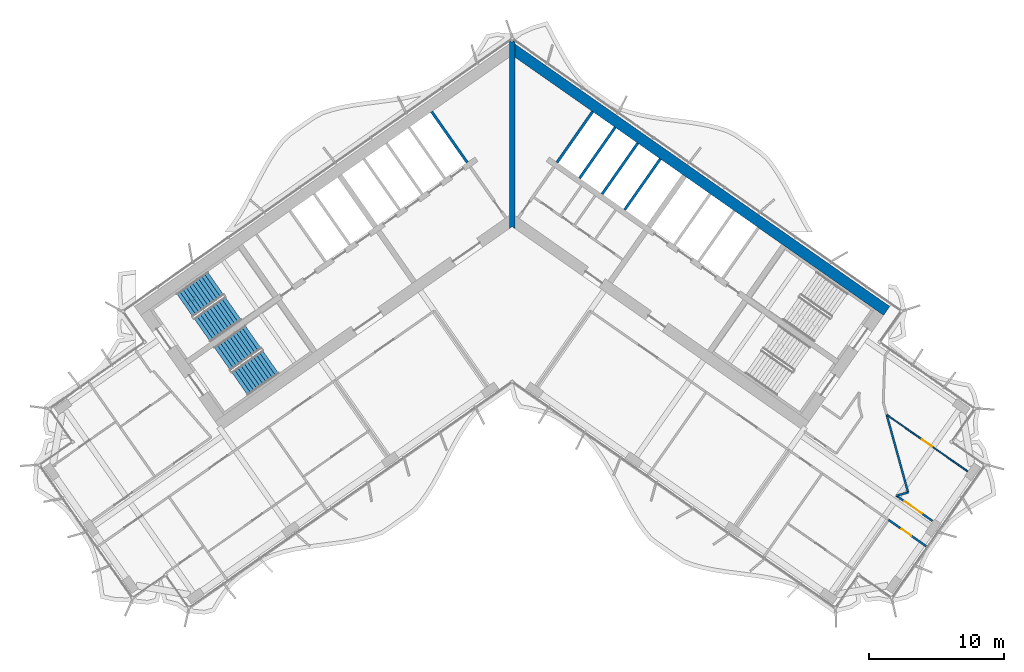
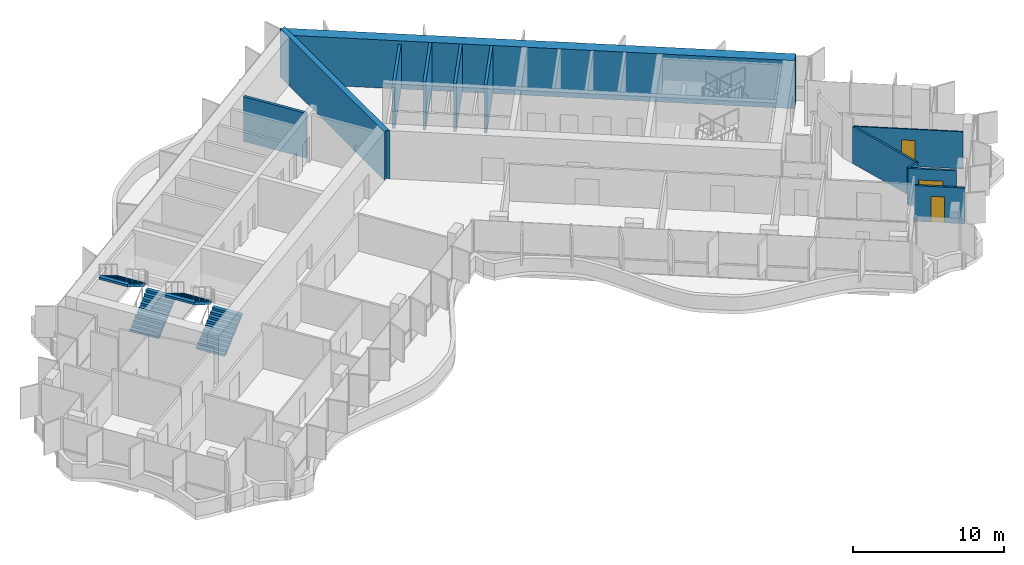
# One storey, part 15 of 21: 12 walls, 4 stair flights, 3 doors, 3 openings, 2 elements without a shape of their own.
"""IFC4 building model written with IfcOpenShell, lengths in metres."""

from ifc_helpers import new_model, si_unit, direction, frame, frame_2d, origin, place, context, subcontext, project, spatial, polyline, rectangle, outline, extrude, material, layer, layer_set, type_object, element, fill, aggregate, save


model = new_model("IFC4")

# Units and contexts
model_context = context("Model", 3, precision=1e-05, world=origin(), true_north=direction((0.0, 1.0)))
body_context = subcontext(model_context, "Body", "Model", "MODEL_VIEW")
ifc_project = project(units=[si_unit("LENGTHUNIT", "METRE"), si_unit("AREAUNIT", "SQUARE_METRE"), si_unit("VOLUMEUNIT", "CUBIC_METRE"), si_unit("PLANEANGLEUNIT", "RADIAN"), si_unit("MASSUNIT", "GRAM", prefix="KILO")], contexts=[model_context])

# Site, building, storey
site_placement = place(None, origin())
site = spatial("IfcSite", under=ifc_project, at=site_placement, CompositionType="ELEMENT")
building_placement = place(site_placement, origin())
building = spatial("IfcBuilding", under=site, at=building_placement, Name="Tel Ilan Convention Tower", CompositionType="ELEMENT")
storey_placement = place(building_placement, frame((0.0, 0.0, 210.0)))
storey = spatial("IfcBuildingStorey", under=building, at=storey_placement, Name="L49", CompositionType="ELEMENT", Elevation=210.0)

# Walls
ifc_material_1 = material(Name="Concrete C30/37", Category="concrete")
ifc_layer_1 = layer(ifc_material_1, 0.199951171875)
ifc_layer_set_1 = layer_set([ifc_layer_1], Name="Core Service Room Wall 200 mm C30/37")
wall_type_1 = type_object("IfcWallType", Name="Core Service Room Wall 200 mm C30/37", PredefinedType="SOLIDWALL", material=ifc_layer_set_1)
for number, where, z_axis, x_axis, name in (
    (1, (-3.32666015625, 3.530517578125, 0.0), (0.0, 0.0, 1.0), (-0.573576324356, 0.819152122709, 0.0), "L49 core wall apex-W-b"),
    (2, (3.32666015625, 3.530517578125, 0.0), (0.0, 0.0, 1.0), (0.573576324356, 0.819152122709, 0.0), "L49 core wall apex-E-b"),
):
    element("IfcWall", number, at=place(storey_placement, frame(where, z_axis=z_axis, x_axis=x_axis)), inside=storey, type_object=wall_type_1, Name=name, PredefinedType="SOLIDWALL", context=body_context, shape_type="SweptSolid", body=[
        extrude(rectangle(XDim=4.599853515625, YDim=0.199951171875, at=frame_2d((2.2998046875, 0.0))), origin(), (0.0, 0.0, 1.0), 3.6201171875),
    ])
ifc_material_2 = material(Name="Concrete C50/60", Category="concrete")
ifc_layer_2 = layer(ifc_material_2, 0.39990234375)
ifc_layer_set_2 = layer_set([ifc_layer_2], Name="Core Shear Wall 400 mm C50/60")
wall_type_2 = type_object("IfcWallType", Name="Core Shear Wall 400 mm C50/60", PredefinedType="SHEAR", material=ifc_layer_set_2)
wall_1_placement = place(storey_placement, frame((0.0, -1.36083984375, 0.0), z_axis=(0.0, 0.0, 1.0), x_axis=(0.0, 1.0, 0.0)))
element("IfcWall", 3, at=wall_1_placement, inside=storey, type_object=wall_type_2, Name="L49 core wall K-central", PredefinedType="SHEAR", context=body_context, shape_type="SweptSolid", body=[
    extrude(outline(polyline([(0.0, -0.199951171875), (0.14013671875, -0.199951171875), (1.0751953125, -0.199951171875), (12.696044921875, -0.199951171875), (13.812744140625, -0.199951171875), (13.893310546875, -0.199951171875), (13.933349609375, -0.172119140625), (13.812744140625, 0.0), (13.933349609375, 0.172119140625), (13.893310546875, 0.199951171875), (13.812744140625, 0.199951171875), (12.696044921875, 0.199951171875), (1.0751953125, 0.199951171875), (0.14013671875, 0.199951171875), (0.0, 0.199951171875), (0.14013671875, 0.0), (0.0, -0.199951171875)])), origin(), (0.0, 0.0, 1.0), 3.89990234375),
])
ifc_material_3 = material(Name="Concrete C50/60", Category="concrete")
ifc_layer_3 = layer(ifc_material_3, 0.800048828125)
ifc_layer_set_3 = layer_set([ifc_layer_3], Name="Core Shear Wall 800 mm C50/60")
wall_type_3 = type_object("IfcWallType", Name="Core Shear Wall 800 mm C50/60", PredefinedType="SHEAR", material=ifc_layer_set_3)
wall_2_placement = place(storey_placement, frame((-0.029296875, 11.984130859375, 0.0), z_axis=(0.0, 0.0, 1.0), x_axis=(0.819151382952, -0.573577380837, 0.0)))
element("IfcWall", 4, at=wall_2_placement, inside=storey, type_object=wall_type_3, Name="L49 core wall E-back", PredefinedType="SHEAR", context=body_context, shape_type="SweptSolid", body=[
    extrude(outline(polyline([(33.897705078125, 0.400146484375), (-0.000244140625, 0.39990234375), (0.56005859375, -0.400146484375), (33.897705078125, -0.39990234375), (33.897705078125, 0.400146484375)])), origin(), (0.0, 0.0, 1.0), 3.89990234375),
])

# Wall, opening, door
ifc_material_4 = material(Name="Plasterboard on Steel Studs", Category="steel")
ifc_layer_4 = layer(ifc_material_4, 0.14990234375)
ifc_layer_set_4 = layer_set([ifc_layer_4], Name="Fire-rated Partition 150 EI 60")
wall_type_4 = type_object("IfcWallType", Name="Fire-rated Partition 150 EI 60", PredefinedType="PARTITIONING", material=ifc_layer_set_4)
wall_3_placement = place(storey_placement, frame((28.4580078125, -21.147216796875, 0.0), z_axis=(0.0, 0.0, 1.0), x_axis=(0.819143929003, -0.573588026006, 0.0)))
wall_3 = element("IfcWall", 5, at=wall_3_placement, inside=storey, type_object=wall_type_4, Name="Partition 002", PredefinedType="PARTITIONING", context=body_context, shape_type="SweptSolid", body=[
    extrude(rectangle(XDim=3.259033203125, YDim=0.14990234375, at=frame_2d((1.62939453125, 0.0))), origin(), (0.0, 0.0, 1.0), 3.0),
])
opening_1_placement = place(wall_3_placement, frame((0.7294921875, 0.0, 0.0)))
opening_1 = element("IfcOpeningElement", 6, at=opening_1_placement, cuts=wall_3, Name="Opening L48-019", PredefinedType="OPENING", context=body_context, shape_type="SweptSolid", body=[
    extrude(rectangle(XDim=1.60009765625, YDim=2.10009765625, at=frame_2d((0.800048828125, 1.050048828125))), frame((0.0, 0.0849609375, 0.0), z_axis=(0.0, -1.0, 0.0), x_axis=(1.0, 0.0, 0.0)), (0.0, 0.0, 1.0), 0.169921875),
])
ifc_material_5 = material(Name="Timber Door Leaf in Steel Frame", Category="steel")
door_type_1 = type_object("IfcDoorType", Name="Tenant Suite Entrance Fire Door 1600x2100", OperationType="NOTDEFINED", PredefinedType="DOOR", material=ifc_material_5)
door_1_placement = place(opening_1_placement, origin())
door_1 = element("IfcDoor", 7, at=door_1_placement, inside=storey, type_object=door_type_1, Name="Door L48-019", OperationType="DOUBLE_DOOR_SINGLE_SWING", OverallHeight=2.10009765625, OverallWidth=1.60009765625, PredefinedType="DOOR", context=body_context, shape_type="SweptSolid", body=[
    extrude(rectangle(XDim=1.60009765625, YDim=2.10009765625, at=frame_2d((0.800048828125, 1.050048828125))), frame((0.0, 0.02490234375, 0.0), z_axis=(0.0, -1.0, 0.0), x_axis=(1.0, 0.0, 0.0)), (0.0, 0.0, 1.0), 0.050048828125),
])
fill(opening_1, door_1)

wall_4_placement = place(storey_placement, frame((30.668701171875, -24.892578125, 0.0), z_axis=(0.0, 0.0, 1.0), x_axis=(-0.819147629048, 0.573582741917, 0.0)))
wall_4 = element("IfcWall", 8, at=wall_4_placement, inside=storey, type_object=wall_type_4, Name="Partition 007", PredefinedType="PARTITIONING", context=body_context, shape_type="SweptSolid", body=[
    extrude(rectangle(XDim=3.402099609375, YDim=0.14990234375, at=frame_2d((1.701171875, 0.0))), origin(), (0.0, 0.0, 1.0), 2.89990234375),
])
opening_2_placement = place(wall_4_placement, frame((1.35107421875, 0.0, 0.0)))
opening_2 = element("IfcOpeningElement", 9, at=opening_2_placement, cuts=wall_4, Name="Opening L48-017", PredefinedType="OPENING", context=body_context, shape_type="SweptSolid", body=[
    extrude(rectangle(XDim=0.89990234375, YDim=2.10009765625, at=frame_2d((0.449951171875, 1.050048828125))), frame((0.0, 0.0849609375, 0.0), z_axis=(0.0, -1.0, 0.0), x_axis=(1.0, 0.0, 0.0)), (0.0, 0.0, 1.0), 0.169921875),
])
ifc_material_6 = material(Name="Timber Door Leaf in Steel Frame", Category="steel")
door_type_2 = type_object("IfcDoorType", Name="Room Fire Door 900x2100", OperationType="NOTDEFINED", PredefinedType="DOOR", material=ifc_material_6)
door_2_placement = place(opening_2_placement, origin())
door_2 = element("IfcDoor", 10, at=door_2_placement, inside=storey, type_object=door_type_2, Name="Door L48-017", OperationType="SINGLE_SWING_LEFT", OverallHeight=2.10009765625, OverallWidth=0.89990234375, PredefinedType="DOOR", context=body_context, shape_type="SweptSolid", body=[
    extrude(rectangle(XDim=0.89990234375, YDim=2.10009765625, at=frame_2d((0.449951171875, 1.050048828125))), frame((0.0, 0.02490234375, 0.0), z_axis=(0.0, -1.0, 0.0), x_axis=(1.0, 0.0, 0.0)), (0.0, 0.0, 1.0), 0.050048828125),
])
fill(opening_2, door_2)

# Walls
wall_5_placement = place(storey_placement, frame((28.45947265625, -21.148193359375, 0.0), z_axis=(0.0, 0.0, 1.0), x_axis=(0.964090868689, 0.265572583131, 0.0)))
element("IfcWall", 11, at=wall_5_placement, inside=storey, type_object=wall_type_4, Name="Partition 023", PredefinedType="PARTITIONING", context=body_context, shape_type="SweptSolid", body=[
    extrude(rectangle(XDim=0.89990234375, YDim=0.14990234375, at=frame_2d((0.449951171875, 0.0))), origin(), (0.0, 0.0, 1.0), 3.0),
])
wall_6_placement = place(storey_placement, frame((29.3271484375, -20.9091796875, 0.0), z_axis=(0.0, 0.0, 1.0), x_axis=(-0.265851730348, 0.964013930123, 0.0)))
element("IfcWall", 12, at=wall_6_placement, inside=storey, type_object=wall_type_4, Name="Partition 024", PredefinedType="PARTITIONING", context=body_context, shape_type="SweptSolid", body=[
    extrude(rectangle(XDim=5.973876953125, YDim=0.14990234375, at=frame_2d((2.98681640625, 0.0))), origin(), (0.0, 0.0, 1.0), 3.0),
])
ifc_material_7 = material(Name="Concrete C30/37", Category="concrete")
ifc_layer_5 = layer(ifc_material_7, 0.199951171875)
ifc_layer_set_5 = layer_set([ifc_layer_5], Name="Lift Shaft Wall 200 mm C30/37")
wall_type_5 = type_object("IfcWallType", Name="Lift Shaft Wall 200 mm C30/37", PredefinedType="SOLIDWALL", material=ifc_layer_set_5)
for number, where, z_axis, x_axis, name in (
    (13, (4.99560546875, 2.36181640625, 0.0), (0.0, 0.0, 1.0), (0.573576324356, 0.819152122709, 0.0), "L49 core wall bank-E1-p0"),
    (14, (6.66455078125, 1.193115234375, 0.0), (0.0, 0.0, 1.0), (0.573576324356, 0.819152122709, 0.0), "L49 core wall bank-E1-p1"),
):
    element("IfcWall", number, at=place(storey_placement, frame(where, z_axis=z_axis, x_axis=x_axis)), inside=storey, type_object=wall_type_5, Name=name, PredefinedType="SOLIDWALL", context=body_context, shape_type="SweptSolid", body=[
        extrude(rectangle(XDim=4.599853515625, YDim=0.199951171875, at=frame_2d((2.2998046875, 0.0))), origin(), (0.0, 0.0, 1.0), 3.89990234375),
    ])
wall_7_placement = place(storey_placement, frame((8.33349609375, 0.0244140625, 0.0), z_axis=(0.0, 0.0, 1.0), x_axis=(0.573611936273, 0.819127185829, 0.0)))
element("IfcWall", 15, at=wall_7_placement, inside=storey, type_object=wall_type_5, Name="L49 core wall bank-E1-p2", PredefinedType="SOLIDWALL", context=body_context, shape_type="SweptSolid", body=[
    extrude(rectangle(XDim=4.60009765625, YDim=0.199951171875, at=frame_2d((2.300048828125, 0.0))), origin(), (0.0, 0.0, 1.0), 3.89990234375),
])

# Wall, opening, door
ifc_material_8 = material(Name="Plasterboard on Steel Studs", Category="steel")
ifc_layer_6 = layer(ifc_material_8, 0.10009765625)
ifc_layer_set_6 = layer_set([ifc_layer_6], Name="Plasterboard Partition 100")
wall_type_6 = type_object("IfcWallType", Name="Plasterboard Partition 100", PredefinedType="PARTITIONING", material=ifc_layer_set_6)
wall_8_placement = place(storey_placement, frame((27.73876953125, -15.14892578125, 0.0), z_axis=(0.0, 0.0, 1.0), x_axis=(0.819156688441, -0.573569803757, 0.0)))
wall_8 = element("IfcWall", 16, at=wall_8_placement, inside=storey, type_object=wall_type_6, Name="Partition 019", PredefinedType="PARTITIONING", context=body_context, shape_type="SweptSolid", body=[
    extrude(rectangle(XDim=7.318603515625, YDim=0.10009765625, at=frame_2d((3.6591796875, 0.0))), origin(), (0.0, 0.0, 1.0), 3.0),
])
opening_3_placement = place(wall_8_placement, frame((3.20947265625, 0.0, 0.0)))
opening_3 = element("IfcOpeningElement", 17, at=opening_3_placement, cuts=wall_8, Name="Opening L48-020", PredefinedType="OPENING", context=body_context, shape_type="SweptSolid", body=[
    extrude(rectangle(XDim=0.89990234375, YDim=2.10009765625, at=frame_2d((0.449951171875, 1.050048828125))), frame((0.0, 0.06005859375, 0.0), z_axis=(0.0, -1.0, 0.0), x_axis=(1.0, 0.0, 0.0)), (0.0, 0.0, 1.0), 0.1201171875),
])
ifc_material_9 = material(Name="Timber Door Leaf in Steel Frame", Category="steel")
door_type_3 = type_object("IfcDoorType", Name="Room Timber Door 900x2100", OperationType="NOTDEFINED", PredefinedType="DOOR", material=ifc_material_9)
door_3_placement = place(opening_3_placement, origin())
door_3 = element("IfcDoor", 18, at=door_3_placement, inside=storey, type_object=door_type_3, Name="Door L48-020", OperationType="SINGLE_SWING_LEFT", OverallHeight=2.10009765625, OverallWidth=0.89990234375, PredefinedType="DOOR", context=body_context, shape_type="SweptSolid", body=[
    extrude(rectangle(XDim=0.89990234375, YDim=2.10009765625, at=frame_2d((0.449951171875, 1.050048828125))), frame((0.0, 0.02490234375, 0.0), z_axis=(0.0, -1.0, 0.0), x_axis=(1.0, 0.0, 0.0)), (0.0, 0.0, 1.0), 0.050048828125),
])
fill(opening_3, door_3)

# Stair, stair flights
ifc_material_10 = material(Name="Concrete C40/50", Category="concrete")
stair_type = type_object("IfcStairType", Name="Pressurised Exit Stair 22 risers 177 mm", PredefinedType="HALF_TURN_STAIR", material=ifc_material_10)
stair_1_placement = place(storey_placement, origin())
stair_1 = element("IfcStair", 19, at=stair_1_placement, inside=storey, type_object=stair_type, Name="L49 Pressurised Stair S1", PredefinedType="HALF_TURN_STAIR")
ifc_material_11 = material(Name="Precast Concrete C40/50", Category="concrete")
stair_flight_type = type_object("IfcStairFlightType", Name="Concrete Stair Flight 2100 mm 22 risers 177 mm", PredefinedType="STRAIGHT", material=ifc_material_11)
stair_flight_1_placement = place(storey_placement, frame((-22.9619140625, -8.87548828125, 0.0), z_axis=(0.0, 0.0, 1.0), x_axis=(0.819152044289, 0.573576436351, 0.0)))
stair_flight_1 = element("IfcStairFlight", 20, at=stair_flight_1_placement, type_object=stair_flight_type, Name="S1 flight 1", NumberOfRisers=11, NumberOfTreads=10, PredefinedType="STRAIGHT", RiserHeight=0.177272727, TreadLength=0.28, context=body_context, shape_type="SweptSolid", body=[
    extrude(outline(polyline([(0.0, 0.0), (0.0, 0.17724609375), (0.280029296875, 0.17724609375), (0.280029296875, 0.3544921875), (0.56005859375, 0.3544921875), (0.56005859375, 0.53173828125), (0.840087890625, 0.53173828125), (0.840087890625, 0.708984375), (1.1201171875, 0.708984375), (1.1201171875, 0.886474609375), (1.39990234375, 0.886474609375), (1.39990234375, 1.063720703125), (1.679931640625, 1.063720703125), (1.679931640625, 1.240966796875), (1.9599609375, 1.240966796875), (1.9599609375, 1.418212890625), (2.239990234375, 1.418212890625), (2.239990234375, 1.595458984375), (2.52001953125, 1.595458984375), (2.52001953125, 1.772705078125), (2.800048828125, 1.772705078125), (2.800048828125, 1.949951171875), (2.800048828125, 1.59521484375), (0.2802734375, 0.0), (0.0, 0.0)])), frame((0.0, -0.100341796875, 0.0), z_axis=(0.0, -1.0, 0.0), x_axis=(1.0, 0.0, 0.0)), (0.0, 0.0, 1.0), 0.94970703125),
    extrude(outline(polyline([(0.0, 0.0), (0.0, 0.17724609375), (0.280029296875, 0.17724609375), (0.280029296875, 0.3544921875), (0.56005859375, 0.3544921875), (0.56005859375, 0.53173828125), (0.840087890625, 0.53173828125), (0.840087890625, 0.708984375), (1.1201171875, 0.708984375), (1.1201171875, 0.886474609375), (1.39990234375, 0.886474609375), (1.39990234375, 1.063720703125), (1.679931640625, 1.063720703125), (1.679931640625, 1.240966796875), (1.9599609375, 1.240966796875), (1.9599609375, 1.418212890625), (2.239990234375, 1.418212890625), (2.239990234375, 1.595458984375), (2.52001953125, 1.595458984375), (2.52001953125, 1.772705078125), (2.800048828125, 1.772705078125), (2.800048828125, 1.949951171875), (2.800048828125, 1.59521484375), (0.2802734375, 0.0), (0.0, 0.0)])), frame((0.0, -0.000244140625, 0.0), z_axis=(0.0, -1.0, 0.0), x_axis=(1.0, 0.0, 0.0)), (0.0, 0.0, 1.0), 0.099609375),
    extrude(outline(polyline([(0.0, 0.0), (0.0, 0.17724609375), (0.280029296875, 0.17724609375), (0.280029296875, 0.3544921875), (0.56005859375, 0.3544921875), (0.56005859375, 0.53173828125), (0.840087890625, 0.53173828125), (0.840087890625, 0.708984375), (1.1201171875, 0.708984375), (1.1201171875, 0.886474609375), (1.39990234375, 0.886474609375), (1.39990234375, 1.063720703125), (1.679931640625, 1.063720703125), (1.679931640625, 1.240966796875), (1.9599609375, 1.240966796875), (1.9599609375, 1.418212890625), (2.239990234375, 1.418212890625), (2.239990234375, 1.595458984375), (2.52001953125, 1.595458984375), (2.52001953125, 1.772705078125), (2.800048828125, 1.772705078125), (2.800048828125, 1.949951171875), (2.800048828125, 1.59521484375), (0.2802734375, 0.0), (0.0, 0.0)])), frame((0.0, 0.099853515625, 0.0), z_axis=(0.0, -1.0, 0.0), x_axis=(1.0, 0.0, 0.0)), (0.0, 0.0, 1.0), 0.099609375),
    extrude(outline(polyline([(0.0, 0.0), (0.0, 0.17724609375), (0.280029296875, 0.17724609375), (0.280029296875, 0.3544921875), (0.56005859375, 0.3544921875), (0.56005859375, 0.53173828125), (0.840087890625, 0.53173828125), (0.840087890625, 0.708984375), (1.1201171875, 0.708984375), (1.1201171875, 0.886474609375), (1.39990234375, 0.886474609375), (1.39990234375, 1.063720703125), (1.679931640625, 1.063720703125), (1.679931640625, 1.240966796875), (1.9599609375, 1.240966796875), (1.9599609375, 1.418212890625), (2.239990234375, 1.418212890625), (2.239990234375, 1.595458984375), (2.52001953125, 1.595458984375), (2.52001953125, 1.772705078125), (2.800048828125, 1.772705078125), (2.800048828125, 1.949951171875), (2.800048828125, 1.59521484375), (0.2802734375, 0.0), (0.0, 0.0)])), frame((0.0, 1.050048828125, 0.0), z_axis=(0.0, -1.0, 0.0), x_axis=(1.0, 0.0, 0.0)), (0.0, 0.0, 1.0), 0.94970703125),
])
stair_flight_2_placement = place(storey_placement, frame((-21.958740234375, -5.42626953125, 1.949951171875), z_axis=(0.0, 0.0, 1.0), x_axis=(-0.819152044289, -0.573576436351, 0.0)))
stair_flight_2 = element("IfcStairFlight", 21, at=stair_flight_2_placement, type_object=stair_flight_type, Name="S1 flight 2", NumberOfRisers=11, NumberOfTreads=10, PredefinedType="STRAIGHT", RiserHeight=0.177272727, TreadLength=0.28, context=body_context, shape_type="SweptSolid", body=[
    extrude(outline(polyline([(0.0, 0.0), (0.0, 0.17724609375), (0.280029296875, 0.17724609375), (0.280029296875, 0.3544921875), (0.56005859375, 0.3544921875), (0.56005859375, 0.53173828125), (0.840087890625, 0.53173828125), (0.840087890625, 0.708984375), (1.1201171875, 0.708984375), (1.1201171875, 0.886474609375), (1.39990234375, 0.886474609375), (1.39990234375, 1.063720703125), (1.679931640625, 1.063720703125), (1.679931640625, 1.240966796875), (1.9599609375, 1.240966796875), (1.9599609375, 1.418212890625), (2.239990234375, 1.418212890625), (2.239990234375, 1.595458984375), (2.52001953125, 1.595458984375), (2.52001953125, 1.772705078125), (2.800048828125, 1.772705078125), (2.800048828125, 1.949951171875), (2.800048828125, 1.59521484375), (0.2802734375, 0.0), (0.0, 0.0)])), frame((0.0, -0.100341796875, 0.0), z_axis=(0.0, -1.0, 0.0), x_axis=(1.0, 0.0, 0.0)), (0.0, 0.0, 1.0), 0.94970703125),
    extrude(outline(polyline([(0.0, 0.0), (0.0, 0.17724609375), (0.280029296875, 0.17724609375), (0.280029296875, 0.3544921875), (0.56005859375, 0.3544921875), (0.56005859375, 0.53173828125), (0.840087890625, 0.53173828125), (0.840087890625, 0.708984375), (1.1201171875, 0.708984375), (1.1201171875, 0.886474609375), (1.39990234375, 0.886474609375), (1.39990234375, 1.063720703125), (1.679931640625, 1.063720703125), (1.679931640625, 1.240966796875), (1.9599609375, 1.240966796875), (1.9599609375, 1.418212890625), (2.239990234375, 1.418212890625), (2.239990234375, 1.595458984375), (2.52001953125, 1.595458984375), (2.52001953125, 1.772705078125), (2.800048828125, 1.772705078125), (2.800048828125, 1.949951171875), (2.800048828125, 1.59521484375), (0.2802734375, 0.0), (0.0, 0.0)])), frame((0.0, -0.000244140625, 0.0), z_axis=(0.0, -1.0, 0.0), x_axis=(1.0, 0.0, 0.0)), (0.0, 0.0, 1.0), 0.099609375),
    extrude(outline(polyline([(0.0, 0.0), (0.0, 0.17724609375), (0.280029296875, 0.17724609375), (0.280029296875, 0.3544921875), (0.56005859375, 0.3544921875), (0.56005859375, 0.53173828125), (0.840087890625, 0.53173828125), (0.840087890625, 0.708984375), (1.1201171875, 0.708984375), (1.1201171875, 0.886474609375), (1.39990234375, 0.886474609375), (1.39990234375, 1.063720703125), (1.679931640625, 1.063720703125), (1.679931640625, 1.240966796875), (1.9599609375, 1.240966796875), (1.9599609375, 1.418212890625), (2.239990234375, 1.418212890625), (2.239990234375, 1.595458984375), (2.52001953125, 1.595458984375), (2.52001953125, 1.772705078125), (2.800048828125, 1.772705078125), (2.800048828125, 1.949951171875), (2.800048828125, 1.59521484375), (0.2802734375, 0.0), (0.0, 0.0)])), frame((0.0, 0.099853515625, 0.0), z_axis=(0.0, -1.0, 0.0), x_axis=(1.0, 0.0, 0.0)), (0.0, 0.0, 1.0), 0.099609375),
    extrude(outline(polyline([(0.0, 0.0), (0.0, 0.17724609375), (0.280029296875, 0.17724609375), (0.280029296875, 0.3544921875), (0.56005859375, 0.3544921875), (0.56005859375, 0.53173828125), (0.840087890625, 0.53173828125), (0.840087890625, 0.708984375), (1.1201171875, 0.708984375), (1.1201171875, 0.886474609375), (1.39990234375, 0.886474609375), (1.39990234375, 1.063720703125), (1.679931640625, 1.063720703125), (1.679931640625, 1.240966796875), (1.9599609375, 1.240966796875), (1.9599609375, 1.418212890625), (2.239990234375, 1.418212890625), (2.239990234375, 1.595458984375), (2.52001953125, 1.595458984375), (2.52001953125, 1.772705078125), (2.800048828125, 1.772705078125), (2.800048828125, 1.949951171875), (2.800048828125, 1.59521484375), (0.2802734375, 0.0), (0.0, 0.0)])), frame((0.0, 1.050048828125, 0.0), z_axis=(0.0, -1.0, 0.0), x_axis=(1.0, 0.0, 0.0)), (0.0, 0.0, 1.0), 0.94970703125),
])
aggregate(stair_1, [stair_flight_1, stair_flight_2])

stair_2_placement = place(storey_placement, origin())
stair_2 = element("IfcStair", 22, at=stair_2_placement, inside=storey, type_object=stair_type, Name="L49 Pressurised Stair S2", PredefinedType="HALF_TURN_STAIR")
stair_flight_3_placement = place(storey_placement, frame((-20.179931640625, -12.848388671875, 0.0), z_axis=(0.0, 0.0, 1.0), x_axis=(0.819152044289, 0.573576436351, 0.0)))
stair_flight_3 = element("IfcStairFlight", 23, at=stair_flight_3_placement, type_object=stair_flight_type, Name="S2 flight 1", NumberOfRisers=11, NumberOfTreads=10, PredefinedType="STRAIGHT", RiserHeight=0.177272727, TreadLength=0.28, context=body_context, shape_type="SweptSolid", body=[
    extrude(outline(polyline([(0.0, 0.0), (0.0, 0.17724609375), (0.280029296875, 0.17724609375), (0.280029296875, 0.3544921875), (0.56005859375, 0.3544921875), (0.56005859375, 0.53173828125), (0.840087890625, 0.53173828125), (0.840087890625, 0.708984375), (1.1201171875, 0.708984375), (1.1201171875, 0.886474609375), (1.39990234375, 0.886474609375), (1.39990234375, 1.063720703125), (1.679931640625, 1.063720703125), (1.679931640625, 1.240966796875), (1.9599609375, 1.240966796875), (1.9599609375, 1.418212890625), (2.239990234375, 1.418212890625), (2.239990234375, 1.595458984375), (2.52001953125, 1.595458984375), (2.52001953125, 1.772705078125), (2.800048828125, 1.772705078125), (2.800048828125, 1.949951171875), (2.800048828125, 1.59521484375), (0.2802734375, 0.0), (0.0, 0.0)])), frame((0.0, -0.100341796875, 0.0), z_axis=(0.0, -1.0, 0.0), x_axis=(1.0, 0.0, 0.0)), (0.0, 0.0, 1.0), 0.94970703125),
    extrude(outline(polyline([(0.0, 0.0), (0.0, 0.17724609375), (0.280029296875, 0.17724609375), (0.280029296875, 0.3544921875), (0.56005859375, 0.3544921875), (0.56005859375, 0.53173828125), (0.840087890625, 0.53173828125), (0.840087890625, 0.708984375), (1.1201171875, 0.708984375), (1.1201171875, 0.886474609375), (1.39990234375, 0.886474609375), (1.39990234375, 1.063720703125), (1.679931640625, 1.063720703125), (1.679931640625, 1.240966796875), (1.9599609375, 1.240966796875), (1.9599609375, 1.418212890625), (2.239990234375, 1.418212890625), (2.239990234375, 1.595458984375), (2.52001953125, 1.595458984375), (2.52001953125, 1.772705078125), (2.800048828125, 1.772705078125), (2.800048828125, 1.949951171875), (2.800048828125, 1.59521484375), (0.2802734375, 0.0), (0.0, 0.0)])), frame((0.0, -0.000244140625, 0.0), z_axis=(0.0, -1.0, 0.0), x_axis=(1.0, 0.0, 0.0)), (0.0, 0.0, 1.0), 0.099609375),
    extrude(outline(polyline([(0.0, 0.0), (0.0, 0.17724609375), (0.280029296875, 0.17724609375), (0.280029296875, 0.3544921875), (0.56005859375, 0.3544921875), (0.56005859375, 0.53173828125), (0.840087890625, 0.53173828125), (0.840087890625, 0.708984375), (1.1201171875, 0.708984375), (1.1201171875, 0.886474609375), (1.39990234375, 0.886474609375), (1.39990234375, 1.063720703125), (1.679931640625, 1.063720703125), (1.679931640625, 1.240966796875), (1.9599609375, 1.240966796875), (1.9599609375, 1.418212890625), (2.239990234375, 1.418212890625), (2.239990234375, 1.595458984375), (2.52001953125, 1.595458984375), (2.52001953125, 1.772705078125), (2.800048828125, 1.772705078125), (2.800048828125, 1.949951171875), (2.800048828125, 1.59521484375), (0.2802734375, 0.0), (0.0, 0.0)])), frame((0.0, 0.099853515625, 0.0), z_axis=(0.0, -1.0, 0.0), x_axis=(1.0, 0.0, 0.0)), (0.0, 0.0, 1.0), 0.099609375),
    extrude(outline(polyline([(0.0, 0.0), (0.0, 0.17724609375), (0.280029296875, 0.17724609375), (0.280029296875, 0.3544921875), (0.56005859375, 0.3544921875), (0.56005859375, 0.53173828125), (0.840087890625, 0.53173828125), (0.840087890625, 0.708984375), (1.1201171875, 0.708984375), (1.1201171875, 0.886474609375), (1.39990234375, 0.886474609375), (1.39990234375, 1.063720703125), (1.679931640625, 1.063720703125), (1.679931640625, 1.240966796875), (1.9599609375, 1.240966796875), (1.9599609375, 1.418212890625), (2.239990234375, 1.418212890625), (2.239990234375, 1.595458984375), (2.52001953125, 1.595458984375), (2.52001953125, 1.772705078125), (2.800048828125, 1.772705078125), (2.800048828125, 1.949951171875), (2.800048828125, 1.59521484375), (0.2802734375, 0.0), (0.0, 0.0)])), frame((0.0, 1.050048828125, 0.0), z_axis=(0.0, -1.0, 0.0), x_axis=(1.0, 0.0, 0.0)), (0.0, 0.0, 1.0), 0.94970703125),
])
stair_flight_4_placement = place(storey_placement, frame((-19.177001953125, -9.399169921875, 1.949951171875), z_axis=(0.0, 0.0, 1.0), x_axis=(-0.819152044289, -0.573576436351, 0.0)))
stair_flight_4 = element("IfcStairFlight", 24, at=stair_flight_4_placement, type_object=stair_flight_type, Name="S2 flight 2", NumberOfRisers=11, NumberOfTreads=10, PredefinedType="STRAIGHT", RiserHeight=0.177272727, TreadLength=0.28, context=body_context, shape_type="SweptSolid", body=[
    extrude(outline(polyline([(0.0, 0.0), (0.0, 0.17724609375), (0.280029296875, 0.17724609375), (0.280029296875, 0.3544921875), (0.56005859375, 0.3544921875), (0.56005859375, 0.53173828125), (0.840087890625, 0.53173828125), (0.840087890625, 0.708984375), (1.1201171875, 0.708984375), (1.1201171875, 0.886474609375), (1.39990234375, 0.886474609375), (1.39990234375, 1.063720703125), (1.679931640625, 1.063720703125), (1.679931640625, 1.240966796875), (1.9599609375, 1.240966796875), (1.9599609375, 1.418212890625), (2.239990234375, 1.418212890625), (2.239990234375, 1.595458984375), (2.52001953125, 1.595458984375), (2.52001953125, 1.772705078125), (2.800048828125, 1.772705078125), (2.800048828125, 1.949951171875), (2.800048828125, 1.59521484375), (0.2802734375, 0.0), (0.0, 0.0)])), frame((0.0, -0.100341796875, 0.0), z_axis=(0.0, -1.0, 0.0), x_axis=(1.0, 0.0, 0.0)), (0.0, 0.0, 1.0), 0.94970703125),
    extrude(outline(polyline([(0.0, 0.0), (0.0, 0.17724609375), (0.280029296875, 0.17724609375), (0.280029296875, 0.3544921875), (0.56005859375, 0.3544921875), (0.56005859375, 0.53173828125), (0.840087890625, 0.53173828125), (0.840087890625, 0.708984375), (1.1201171875, 0.708984375), (1.1201171875, 0.886474609375), (1.39990234375, 0.886474609375), (1.39990234375, 1.063720703125), (1.679931640625, 1.063720703125), (1.679931640625, 1.240966796875), (1.9599609375, 1.240966796875), (1.9599609375, 1.418212890625), (2.239990234375, 1.418212890625), (2.239990234375, 1.595458984375), (2.52001953125, 1.595458984375), (2.52001953125, 1.772705078125), (2.800048828125, 1.772705078125), (2.800048828125, 1.949951171875), (2.800048828125, 1.59521484375), (0.2802734375, 0.0), (0.0, 0.0)])), frame((0.0, -0.000244140625, 0.0), z_axis=(0.0, -1.0, 0.0), x_axis=(1.0, 0.0, 0.0)), (0.0, 0.0, 1.0), 0.099609375),
    extrude(outline(polyline([(0.0, 0.0), (0.0, 0.17724609375), (0.280029296875, 0.17724609375), (0.280029296875, 0.3544921875), (0.56005859375, 0.3544921875), (0.56005859375, 0.53173828125), (0.840087890625, 0.53173828125), (0.840087890625, 0.708984375), (1.1201171875, 0.708984375), (1.1201171875, 0.886474609375), (1.39990234375, 0.886474609375), (1.39990234375, 1.063720703125), (1.679931640625, 1.063720703125), (1.679931640625, 1.240966796875), (1.9599609375, 1.240966796875), (1.9599609375, 1.418212890625), (2.239990234375, 1.418212890625), (2.239990234375, 1.595458984375), (2.52001953125, 1.595458984375), (2.52001953125, 1.772705078125), (2.800048828125, 1.772705078125), (2.800048828125, 1.949951171875), (2.800048828125, 1.59521484375), (0.2802734375, 0.0), (0.0, 0.0)])), frame((0.0, 0.099853515625, 0.0), z_axis=(0.0, -1.0, 0.0), x_axis=(1.0, 0.0, 0.0)), (0.0, 0.0, 1.0), 0.099609375),
    extrude(outline(polyline([(0.0, 0.0), (0.0, 0.17724609375), (0.280029296875, 0.17724609375), (0.280029296875, 0.3544921875), (0.56005859375, 0.3544921875), (0.56005859375, 0.53173828125), (0.840087890625, 0.53173828125), (0.840087890625, 0.708984375), (1.1201171875, 0.708984375), (1.1201171875, 0.886474609375), (1.39990234375, 0.886474609375), (1.39990234375, 1.063720703125), (1.679931640625, 1.063720703125), (1.679931640625, 1.240966796875), (1.9599609375, 1.240966796875), (1.9599609375, 1.418212890625), (2.239990234375, 1.418212890625), (2.239990234375, 1.595458984375), (2.52001953125, 1.595458984375), (2.52001953125, 1.772705078125), (2.800048828125, 1.772705078125), (2.800048828125, 1.949951171875), (2.800048828125, 1.59521484375), (0.2802734375, 0.0), (0.0, 0.0)])), frame((0.0, 1.050048828125, 0.0), z_axis=(0.0, -1.0, 0.0), x_axis=(1.0, 0.0, 0.0)), (0.0, 0.0, 1.0), 0.94970703125),
])
aggregate(stair_2, [stair_flight_3, stair_flight_4])

save(model, "model.ifc")
